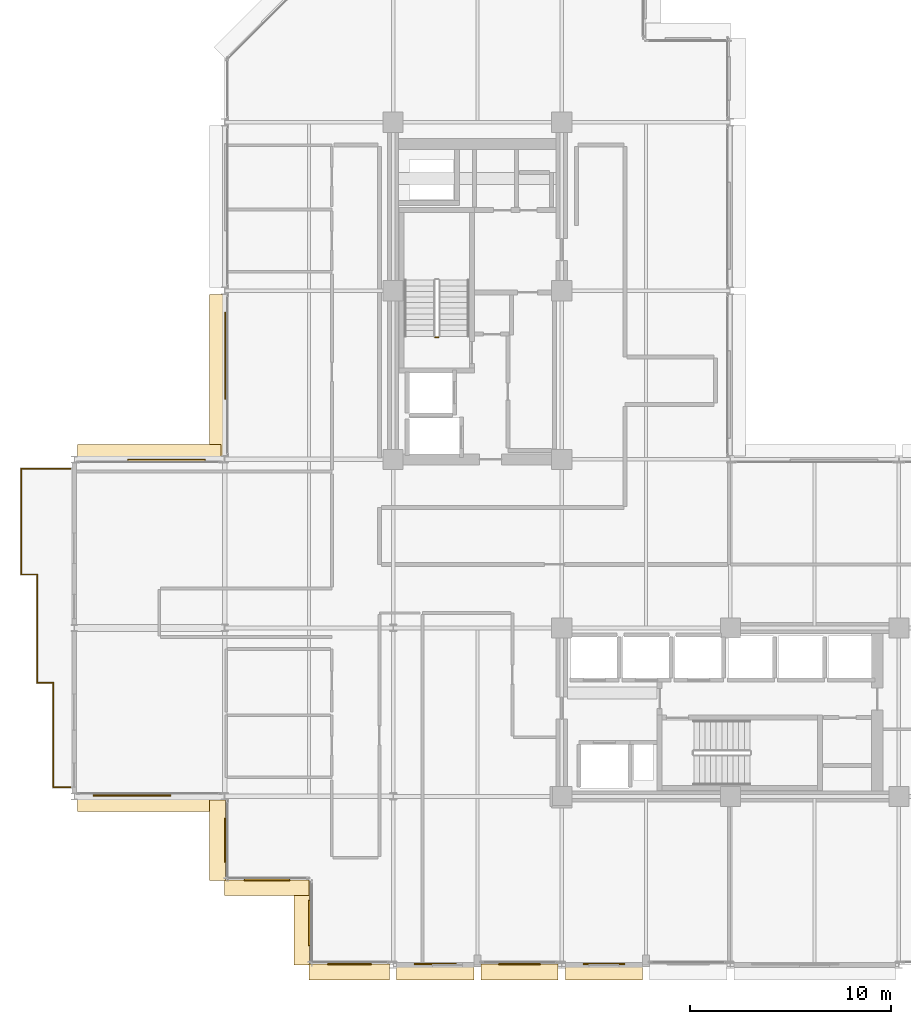
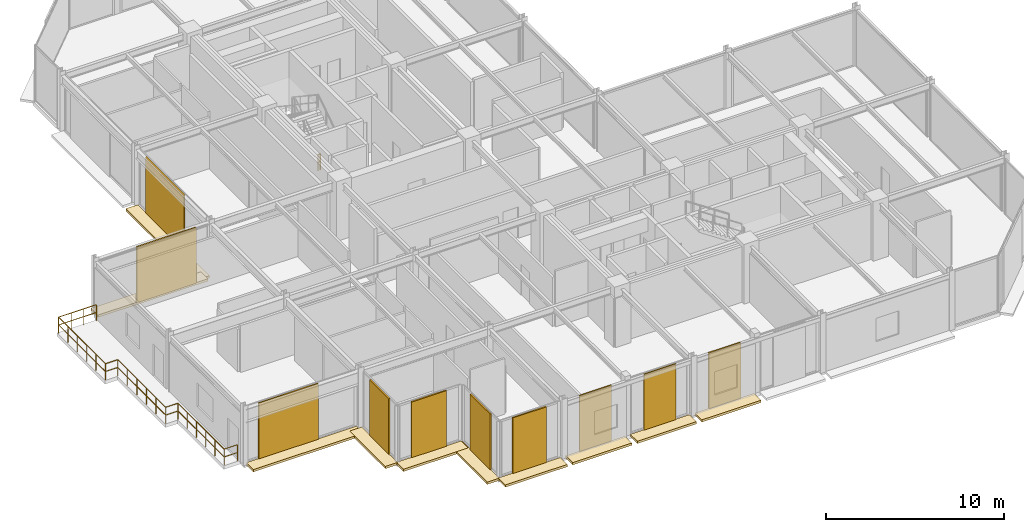
# One storey, part 27 of 29: 20 coverings, 8 railings.
"""IFC4 building model written with IfcOpenShell, lengths in metres."""

from ifc_helpers import new_model, si_unit, direction, frame, origin, origin_2d, place, context, subcontext, project, spatial, polyline, rectangle, circle, outline, extrude, material, layer, layer_set, type_object, element, save


model = new_model("IFC4")

# Units and contexts
model_context = context("Model", 3, precision=1e-05, world=origin(), true_north=direction((0.0, 1.0)))
body_context = subcontext(model_context, "Body", "Model", "MODEL_VIEW")
ifc_project = project(units=[si_unit("LENGTHUNIT", "METRE"), si_unit("AREAUNIT", "SQUARE_METRE"), si_unit("VOLUMEUNIT", "CUBIC_METRE"), si_unit("PLANEANGLEUNIT", "RADIAN"), si_unit("MASSUNIT", "GRAM", prefix="KILO")], contexts=[model_context])

# Site, building, storey
site_placement = place(None, origin())
site = spatial("IfcSite", under=ifc_project, at=site_placement, CompositionType="ELEMENT")
building_placement = place(site_placement, origin())
building = spatial("IfcBuilding", under=site, at=building_placement, Name="Nerrivon Quay Data Exchange", CompositionType="ELEMENT")
storey_placement = place(building_placement, frame((0.0, 0.0, 191.89990234375)))
storey = spatial("IfcBuildingStorey", under=building, at=storey_placement, Name="L45", CompositionType="ELEMENT", Elevation=191.89990234375)

# Coverings
ifc_material_1 = material(Name="Architectural terracotta ceramic", Category="masonry")
ifc_layer_1 = layer(ifc_material_1, 0.159912109375)
ifc_layer_set_1 = layer_set([ifc_layer_1], Name="Architectural terracotta ceramic")
covering_type_1 = type_object("IfcCoveringType", Name="COV-BLD-TERR", PredefinedType="CLADDING", material=ifc_layer_set_1)
covering_1_placement = place(storey_placement, frame((0.0, 0.0, -0.159912109375)))
element("IfcCovering", 1, at=covering_1_placement, inside=storey, type_object=covering_type_1, Name="L45 Horizontal Terracotta SOLAR SCREEN Blade", PredefinedType="CLADDING", context=body_context, shape_type="SweptSolid", body=[
    extrude(outline(polyline([(-7.344482421875, 25.159912109375), (-0.175048828125, 25.159912109375), (-0.175048828125, 25.949951171875), (-7.344482421875, 25.949951171875), (-7.344482421875, 25.159912109375)])), origin(), (0.0, 0.0, 1.0), 0.159912109375),
])
covering_2_placement = place(storey_placement, frame((0.0, 0.0, -0.159912109375)))
element("IfcCovering", 2, at=covering_2_placement, inside=storey, type_object=covering_type_1, Name="L45 Horizontal Terracotta SOLAR SCREEN Blade", PredefinedType="CLADDING", context=body_context, shape_type="SweptSolid", body=[
    extrude(outline(polyline([(0.0400390625, 25.375), (0.0400390625, 33.425048828125), (-0.75, 33.425048828125), (-0.75, 25.375), (0.0400390625, 25.375)])), origin(), (0.0, 0.0, 1.0), 0.159912109375),
])
covering_3_placement = place(storey_placement, frame((0.0, 0.0, -0.159912109375)))
element("IfcCovering", 3, at=covering_3_placement, inside=storey, type_object=covering_type_1, Name="L45 Horizontal Terracotta SOLAR SCREEN Blade", PredefinedType="CLADDING", context=body_context, shape_type="SweptSolid", body=[
    extrude(outline(polyline([(20.824951171875, 0.0400390625), (16.97509765625, 0.0400390625), (16.97509765625, -0.75), (20.824951171875, -0.75), (20.824951171875, 0.0400390625)])), origin(), (0.0, 0.0, 1.0), 0.159912109375),
])
covering_4_placement = place(storey_placement, frame((0.0, 0.0, -0.159912109375)))
element("IfcCovering", 4, at=covering_4_placement, inside=storey, type_object=covering_type_1, Name="L45 Horizontal Terracotta SOLAR SCREEN Blade", PredefinedType="CLADDING", context=body_context, shape_type="SweptSolid", body=[
    extrude(outline(polyline([(16.625, 0.0400390625), (12.77490234375, 0.0400390625), (12.77490234375, -0.75), (16.625, -0.75), (16.625, 0.0400390625)])), origin(), (0.0, 0.0, 1.0), 0.159912109375),
])
covering_5_placement = place(storey_placement, frame((0.0, 0.0, -0.159912109375)))
element("IfcCovering", 5, at=covering_5_placement, inside=storey, type_object=covering_type_1, Name="L45 Horizontal Terracotta SOLAR SCREEN Blade", PredefinedType="CLADDING", context=body_context, shape_type="SweptSolid", body=[
    extrude(outline(polyline([(12.425048828125, 0.0400390625), (8.574951171875, 0.0400390625), (8.574951171875, -0.75), (12.425048828125, -0.75), (12.425048828125, 0.0400390625)])), origin(), (0.0, 0.0, 1.0), 0.159912109375),
])
covering_6_placement = place(storey_placement, frame((0.0, 0.0, -0.159912109375)))
element("IfcCovering", 6, at=covering_6_placement, inside=storey, type_object=covering_type_1, Name="L45 Horizontal Terracotta SOLAR SCREEN Blade", PredefinedType="CLADDING", context=body_context, shape_type="SweptSolid", body=[
    extrude(outline(polyline([(8.22509765625, 0.0400390625), (4.199951171875, 0.0400390625), (4.199951171875, -0.75), (8.22509765625, -0.75), (8.22509765625, 0.0400390625)])), origin(), (0.0, 0.0, 1.0), 0.159912109375),
])
covering_7_placement = place(storey_placement, frame((0.0, 0.0, -0.159912109375)))
element("IfcCovering", 7, at=covering_7_placement, inside=storey, type_object=covering_type_1, Name="L45 Horizontal Terracotta SOLAR SCREEN Blade", PredefinedType="CLADDING", context=body_context, shape_type="SweptSolid", body=[
    extrude(outline(polyline([(4.239990234375, 0.0), (4.239990234375, 4.199951171875), (3.449951171875, 4.199951171875), (3.449951171875, 0.0), (4.239990234375, 0.0)])), origin(), (0.0, 0.0, 1.0), 0.159912109375),
])
covering_8_placement = place(storey_placement, frame((0.0, 0.0, -0.159912109375)))
element("IfcCovering", 8, at=covering_8_placement, inside=storey, type_object=covering_type_1, Name="L45 Horizontal Terracotta SOLAR SCREEN Blade", PredefinedType="CLADDING", context=body_context, shape_type="SweptSolid", body=[
    extrude(outline(polyline([(4.199951171875, 4.239990234375), (0.0, 4.239990234375), (0.0, 3.449951171875), (4.199951171875, 3.449951171875), (4.199951171875, 4.239990234375)])), origin(), (0.0, 0.0, 1.0), 0.159912109375),
])
covering_9_placement = place(storey_placement, frame((0.0, 0.0, -0.159912109375)))
element("IfcCovering", 9, at=covering_9_placement, inside=storey, type_object=covering_type_1, Name="L45 Horizontal Terracotta SOLAR SCREEN Blade", PredefinedType="CLADDING", context=body_context, shape_type="SweptSolid", body=[
    extrude(outline(polyline([(0.0400390625, 4.199951171875), (0.0400390625, 8.22509765625), (-0.75, 8.22509765625), (-0.75, 4.199951171875), (0.0400390625, 4.199951171875)])), origin(), (0.0, 0.0, 1.0), 0.159912109375),
])
covering_10_placement = place(storey_placement, frame((0.0, 0.0, -0.159912109375)))
element("IfcCovering", 10, at=covering_10_placement, inside=storey, type_object=covering_type_1, Name="L45 Horizontal Terracotta SOLAR SCREEN Blade", PredefinedType="CLADDING", context=body_context, shape_type="SweptSolid", body=[
    extrude(outline(polyline([(-0.175048828125, 8.43994140625), (-7.344482421875, 8.43994140625), (-7.344482421875, 7.64990234375), (-0.175048828125, 7.64990234375), (-0.175048828125, 8.43994140625)])), origin(), (0.0, 0.0, 1.0), 0.159912109375),
])
ifc_layer_2 = layer(ifc_material_1, 0.090087890625)
ifc_layer_set_2 = layer_set([ifc_layer_2], Name="Architectural terracotta ceramic")
covering_type_2 = type_object("IfcCoveringType", Name="COV-SCR-TERR", PredefinedType="CLADDING", material=ifc_layer_set_2)
covering_11_placement = place(storey_placement, frame((-2.8994140625, 25.155029296875, 0.0), z_axis=(0.0, 0.0, 1.0), x_axis=(1.0, 0.0, 0.0)))
element("IfcCovering", 11, at=covering_11_placement, inside=storey, type_object=covering_type_2, Name="L45 Perforated Terracotta SOLAR SCREEN Cassette", PredefinedType="CLADDING", context=body_context, shape_type="SweptSolid", body=[
    extrude(rectangle(XDim=3.8720703125, YDim=0.090087890625, at=origin_2d()), origin(), (0.0, 0.0, 1.0), 3.824951171875),
])
covering_12_placement = place(storey_placement, frame((0.044921875, 30.365966796875, 0.0), z_axis=(0.0, 0.0, 1.0), x_axis=(0.0, 1.0, 0.0)))
element("IfcCovering", 12, at=covering_12_placement, inside=storey, type_object=covering_type_2, Name="L45 Perforated Terracotta SOLAR SCREEN Cassette", PredefinedType="CLADDING", context=body_context, shape_type="SweptSolid", body=[
    extrude(rectangle(XDim=4.346923828125, YDim=0.090087890625, at=origin_2d()), origin(), (0.0, 0.0, 1.0), 3.824951171875),
])
for number, where, z_axis, x_axis, name in (
    (13, (18.89990234375, 0.044921875, 0.0), (0.0, 0.0, 1.0), (-1.0, 0.0, 0.0), "L45 Perforated Terracotta SOLAR SCREEN Cassette"),
    (14, (14.699951171875, 0.044921875, 0.0), (0.0, 0.0, 1.0), (-1.0, 0.0, 0.0), "L45 Perforated Terracotta SOLAR SCREEN Cassette"),
    (15, (10.5, 0.044921875, 0.0), (0.0, 0.0, 1.0), (-1.0, 0.0, 0.0), "L45 Perforated Terracotta SOLAR SCREEN Cassette"),
):
    element("IfcCovering", number, at=place(storey_placement, frame(where, z_axis=z_axis, x_axis=x_axis)), inside=storey, type_object=covering_type_2, Name=name, PredefinedType="CLADDING", context=body_context, shape_type="SweptSolid", body=[
        extrude(rectangle(XDim=2.0791015625, YDim=0.090087890625, at=origin_2d()), origin(), (0.0, 0.0, 1.0), 3.824951171875),
    ])
covering_13_placement = place(storey_placement, frame((6.21240234375, 0.044921875, 0.0), z_axis=(0.0, 0.0, 1.0), x_axis=(-1.0, 0.0, 0.0)))
element("IfcCovering", 16, at=covering_13_placement, inside=storey, type_object=covering_type_2, Name="L45 Perforated Terracotta SOLAR SCREEN Cassette", PredefinedType="CLADDING", context=body_context, shape_type="SweptSolid", body=[
    extrude(rectangle(XDim=2.173095703125, YDim=0.090087890625, at=origin_2d()), origin(), (0.0, 0.0, 1.0), 3.824951171875),
])
for number, where, z_axis, x_axis, name in (
    (17, (4.2451171875, 2.10009765625, 0.0), (0.0, 0.0, 1.0), (0.0, 1.0, 0.0), "L45 Perforated Terracotta SOLAR SCREEN Cassette"),
    (18, (2.10009765625, 4.2451171875, 0.0), (0.0, 0.0, 1.0), (-1.0, 0.0, 0.0), "L45 Perforated Terracotta SOLAR SCREEN Cassette"),
):
    element("IfcCovering", number, at=place(storey_placement, frame(where, z_axis=z_axis, x_axis=x_axis)), inside=storey, type_object=covering_type_2, Name=name, PredefinedType="CLADDING", context=body_context, shape_type="SweptSolid", body=[
        extrude(rectangle(XDim=2.26806640625, YDim=0.090087890625, at=origin_2d()), origin(), (0.0, 0.0, 1.0), 3.824951171875),
    ])
covering_14_placement = place(storey_placement, frame((0.044921875, 6.21240234375, 0.0), z_axis=(0.0, 0.0, 1.0), x_axis=(0.0, 1.0, 0.0)))
element("IfcCovering", 19, at=covering_14_placement, inside=storey, type_object=covering_type_2, Name="L45 Perforated Terracotta SOLAR SCREEN Cassette", PredefinedType="CLADDING", context=body_context, shape_type="SweptSolid", body=[
    extrude(rectangle(XDim=2.173095703125, YDim=0.090087890625, at=origin_2d()), origin(), (0.0, 0.0, 1.0), 3.824951171875),
])
covering_15_placement = place(storey_placement, frame((-4.6201171875, 8.445068359375, 0.0), z_axis=(0.0, 0.0, 1.0), x_axis=(-1.0, 0.0, 0.0)))
element("IfcCovering", 20, at=covering_15_placement, inside=storey, type_object=covering_type_2, Name="L45 Perforated Terracotta SOLAR SCREEN Cassette", PredefinedType="CLADDING", context=body_context, shape_type="SweptSolid", body=[
    extrude(rectangle(XDim=3.8720703125, YDim=0.090087890625, at=origin_2d()), origin(), (0.0, 0.0, 1.0), 3.824951171875),
])

# Railings
ifc_material_2 = material(Name="Steel Grade C350L0 (350 MPa)", Category="steel")
railing_type_1 = type_object("IfcRailingType", Name="RAIL-GUARD-GR2", PredefinedType="BALUSTRADE", material=ifc_material_2)
railing_1_placement = place(storey_placement, frame((-7.679931640625, 8.860107421875, 0.0)))
element("IfcRailing", 21, at=railing_1_placement, inside=storey, type_object=railing_type_1, Name="L45 Verandah Balcony Guard 1.1 1", PredefinedType="BALUSTRADE", context=body_context, shape_type="SweptSolid", body=[
    extrude(circle(Radius=0.02392578125, at=origin_2d()), frame((0.0, 0.0, 1.09619140625), z_axis=(-1.0, 0.0, 0.0), x_axis=(0.0, -1.0, 0.0)), (0.0, 0.0, 1.0), 0.860107421875),
    extrude(circle(Radius=0.02392578125, at=origin_2d()), frame((0.0, 0.0, 0.56005859375), z_axis=(-1.0, 0.0, 0.0), x_axis=(0.0, -1.0, 0.0)), (0.0, 0.0, 1.0), 0.860107421875),
    extrude(circle(Radius=0.02099609375, at=origin_2d()), origin(), (0.0, 0.0, 1.0), 1.072021484375),
    extrude(circle(Radius=0.02099609375, at=origin_2d()), frame((-0.860107421875, 0.0, 0.0)), (0.0, 0.0, 1.0), 1.072021484375),
])
railing_2_placement = place(storey_placement, frame((-8.5400390625, 8.860107421875, 0.0)))
element("IfcRailing", 22, at=railing_2_placement, inside=storey, type_object=railing_type_1, Name="L45 Verandah Balcony Guard 1.2 1", PredefinedType="BALUSTRADE", context=body_context, shape_type="SweptSolid", body=[
    extrude(circle(Radius=0.02392578125, at=origin_2d()), frame((0.0, 0.0, 1.09619140625), z_axis=(0.0, 1.0, 0.0), x_axis=(-1.0, 0.0, 0.0)), (0.0, 0.0, 1.0), 5.199951171875),
    extrude(circle(Radius=0.02392578125, at=origin_2d()), frame((0.0, 0.0, 0.56005859375), z_axis=(0.0, 1.0, 0.0), x_axis=(-1.0, 0.0, 0.0)), (0.0, 0.0, 1.0), 5.199951171875),
    extrude(circle(Radius=0.02099609375, at=origin_2d()), origin(), (0.0, 0.0, 1.0), 1.072021484375),
    extrude(circle(Radius=0.02099609375, at=origin_2d()), frame((0.0, 1.0400390625, 0.0)), (0.0, 0.0, 1.0), 1.072021484375),
    extrude(circle(Radius=0.02099609375, at=origin_2d()), frame((0.0, 2.080078125, 0.0)), (0.0, 0.0, 1.0), 1.072021484375),
    extrude(circle(Radius=0.02099609375, at=origin_2d()), frame((0.0, 3.119873046875, 0.0)), (0.0, 0.0, 1.0), 1.072021484375),
    extrude(circle(Radius=0.02099609375, at=origin_2d()), frame((0.0, 4.159912109375, 0.0)), (0.0, 0.0, 1.0), 1.072021484375),
    extrude(circle(Radius=0.02099609375, at=origin_2d()), frame((0.0, 5.199951171875, 0.0)), (0.0, 0.0, 1.0), 1.072021484375),
])
railing_3_placement = place(storey_placement, frame((-8.5400390625, 14.06005859375, 0.0)))
element("IfcRailing", 23, at=railing_3_placement, inside=storey, type_object=railing_type_1, Name="L45 Verandah Balcony Guard 1.3 1", PredefinedType="BALUSTRADE", context=body_context, shape_type="SweptSolid", body=[
    extrude(circle(Radius=0.02392578125, at=origin_2d()), frame((0.0, 0.0, 1.09619140625), z_axis=(-1.0, 0.0, 0.0), x_axis=(0.0, -1.0, 0.0)), (0.0, 0.0, 1.0), 0.800048828125),
    extrude(circle(Radius=0.02392578125, at=origin_2d()), frame((0.0, 0.0, 0.56005859375), z_axis=(-1.0, 0.0, 0.0), x_axis=(0.0, -1.0, 0.0)), (0.0, 0.0, 1.0), 0.800048828125),
    extrude(circle(Radius=0.02099609375, at=origin_2d()), origin(), (0.0, 0.0, 1.0), 1.072021484375),
    extrude(circle(Radius=0.02099609375, at=origin_2d()), frame((-0.800048828125, 0.0, 0.0)), (0.0, 0.0, 1.0), 1.072021484375),
])
railing_4_placement = place(storey_placement, frame((-9.340087890625, 14.06005859375, 0.0)))
element("IfcRailing", 24, at=railing_4_placement, inside=storey, type_object=railing_type_1, Name="L45 Verandah Balcony Guard 1.4 1", PredefinedType="BALUSTRADE", context=body_context, shape_type="SweptSolid", body=[
    extrude(circle(Radius=0.02392578125, at=origin_2d()), frame((0.0, 0.0, 1.09619140625), z_axis=(0.0, 1.0, 0.0), x_axis=(-1.0, 0.0, 0.0)), (0.0, 0.0, 1.0), 5.39990234375),
    extrude(circle(Radius=0.02392578125, at=origin_2d()), frame((0.0, 0.0, 0.56005859375), z_axis=(0.0, 1.0, 0.0), x_axis=(-1.0, 0.0, 0.0)), (0.0, 0.0, 1.0), 5.39990234375),
    extrude(circle(Radius=0.02099609375, at=origin_2d()), origin(), (0.0, 0.0, 1.0), 1.072021484375),
    extrude(circle(Radius=0.02099609375, at=origin_2d()), frame((0.0, 1.080078125, 0.0)), (0.0, 0.0, 1.0), 1.072021484375),
    extrude(circle(Radius=0.02099609375, at=origin_2d()), frame((0.0, 2.159912109375, 0.0)), (0.0, 0.0, 1.0), 1.072021484375),
    extrude(circle(Radius=0.02099609375, at=origin_2d()), frame((0.0, 3.239990234375, 0.0)), (0.0, 0.0, 1.0), 1.072021484375),
    extrude(circle(Radius=0.02099609375, at=origin_2d()), frame((0.0, 4.31982421875, 0.0)), (0.0, 0.0, 1.0), 1.072021484375),
    extrude(circle(Radius=0.02099609375, at=origin_2d()), frame((0.0, 5.39990234375, 0.0)), (0.0, 0.0, 1.0), 1.072021484375),
])
railing_5_placement = place(storey_placement, frame((-9.340087890625, 19.4599609375, 0.0)))
element("IfcRailing", 25, at=railing_5_placement, inside=storey, type_object=railing_type_1, Name="L45 Verandah Balcony Guard 1.5 1", PredefinedType="BALUSTRADE", context=body_context, shape_type="SweptSolid", body=[
    extrude(circle(Radius=0.02392578125, at=origin_2d()), frame((0.0, 0.0, 1.09619140625), z_axis=(-1.0, 0.0, 0.0), x_axis=(0.0, -1.0, 0.0)), (0.0, 0.0, 1.0), 0.7998046875),
    extrude(circle(Radius=0.02392578125, at=origin_2d()), frame((0.0, 0.0, 0.56005859375), z_axis=(-1.0, 0.0, 0.0), x_axis=(0.0, -1.0, 0.0)), (0.0, 0.0, 1.0), 0.7998046875),
    extrude(circle(Radius=0.02099609375, at=origin_2d()), origin(), (0.0, 0.0, 1.0), 1.072021484375),
    extrude(circle(Radius=0.02099609375, at=origin_2d()), frame((-0.7998046875, 0.0, 0.0)), (0.0, 0.0, 1.0), 1.072021484375),
])
railing_6_placement = place(storey_placement, frame((-10.139892578125, 19.4599609375, 0.0)))
element("IfcRailing", 26, at=railing_6_placement, inside=storey, type_object=railing_type_1, Name="L45 Verandah Balcony Guard 1.6 1", PredefinedType="BALUSTRADE", context=body_context, shape_type="SweptSolid", body=[
    extrude(circle(Radius=0.02392578125, at=origin_2d()), frame((0.0, 0.0, 1.09619140625), z_axis=(0.0, 1.0, 0.0), x_axis=(-1.0, 0.0, 0.0)), (0.0, 0.0, 1.0), 5.280029296875),
    extrude(circle(Radius=0.02392578125, at=origin_2d()), frame((0.0, 0.0, 0.56005859375), z_axis=(0.0, 1.0, 0.0), x_axis=(-1.0, 0.0, 0.0)), (0.0, 0.0, 1.0), 5.280029296875),
    extrude(circle(Radius=0.02099609375, at=origin_2d()), origin(), (0.0, 0.0, 1.0), 1.072021484375),
    extrude(circle(Radius=0.02099609375, at=origin_2d()), frame((0.0, 1.055908203125, 0.0)), (0.0, 0.0, 1.0), 1.072021484375),
    extrude(circle(Radius=0.02099609375, at=origin_2d()), frame((0.0, 2.112060546875, 0.0)), (0.0, 0.0, 1.0), 1.072021484375),
    extrude(circle(Radius=0.02099609375, at=origin_2d()), frame((0.0, 3.16796875, 0.0)), (0.0, 0.0, 1.0), 1.072021484375),
    extrude(circle(Radius=0.02099609375, at=origin_2d()), frame((0.0, 4.22412109375, 0.0)), (0.0, 0.0, 1.0), 1.072021484375),
    extrude(circle(Radius=0.02099609375, at=origin_2d()), frame((0.0, 5.280029296875, 0.0)), (0.0, 0.0, 1.0), 1.072021484375),
])
railing_7_placement = place(storey_placement, frame((-10.139892578125, 24.739990234375, 0.0)))
element("IfcRailing", 27, at=railing_7_placement, inside=storey, type_object=railing_type_1, Name="L45 Verandah Balcony Guard 1.7 1", PredefinedType="BALUSTRADE", context=body_context, shape_type="SweptSolid", body=[
    extrude(circle(Radius=0.02392578125, at=origin_2d()), frame((0.0, 0.0, 1.09619140625), z_axis=(1.0, 0.0, 0.0), x_axis=(0.0, 1.0, 0.0)), (0.0, 0.0, 1.0), 2.4599609375),
    extrude(circle(Radius=0.02392578125, at=origin_2d()), frame((0.0, 0.0, 0.56005859375), z_axis=(1.0, 0.0, 0.0), x_axis=(0.0, 1.0, 0.0)), (0.0, 0.0, 1.0), 2.4599609375),
    extrude(circle(Radius=0.02099609375, at=origin_2d()), origin(), (0.0, 0.0, 1.0), 1.072021484375),
    extrude(circle(Radius=0.02099609375, at=origin_2d()), frame((0.820068359375, 0.0, 0.0)), (0.0, 0.0, 1.0), 1.072021484375),
    extrude(circle(Radius=0.02099609375, at=origin_2d()), frame((1.639892578125, 0.0, 0.0)), (0.0, 0.0, 1.0), 1.072021484375),
    extrude(circle(Radius=0.02099609375, at=origin_2d()), frame((2.4599609375, 0.0, 0.0)), (0.0, 0.0, 1.0), 1.072021484375),
])
railing_type_2 = type_object("IfcRailingType", Name="RAIL-STAIR-GR1", PredefinedType="BALUSTRADE", material=ifc_material_2)
railing_8_placement = place(storey_placement, frame((10.64990234375, 31.280029296875, 0.0)))
element("IfcRailing", 28, at=railing_8_placement, inside=storey, type_object=railing_type_2, Name="L45 ST01 stair guard 4", PredefinedType="BALUSTRADE", context=body_context, shape_type="SweptSolid", body=[
    extrude(circle(Radius=0.02392578125, at=origin_2d()), frame((0.0, 0.0, 1.076171875), z_axis=(-1.0, 0.0, 0.0), x_axis=(0.0, -1.0, 0.0)), (0.0, 0.0, 1.0), 0.14990234375),
    extrude(circle(Radius=0.02392578125, at=origin_2d()), frame((0.0, 0.0, 0.550048828125), z_axis=(-1.0, 0.0, 0.0), x_axis=(0.0, -1.0, 0.0)), (0.0, 0.0, 1.0), 0.14990234375),
    extrude(circle(Radius=0.02099609375, at=origin_2d()), origin(), (0.0, 0.0, 1.0), 1.052001953125),
    extrude(circle(Radius=0.02099609375, at=origin_2d()), frame((-0.14990234375, 0.0, 0.0)), (0.0, 0.0, 1.0), 1.052001953125),
])

save(model, "model.ifc")
